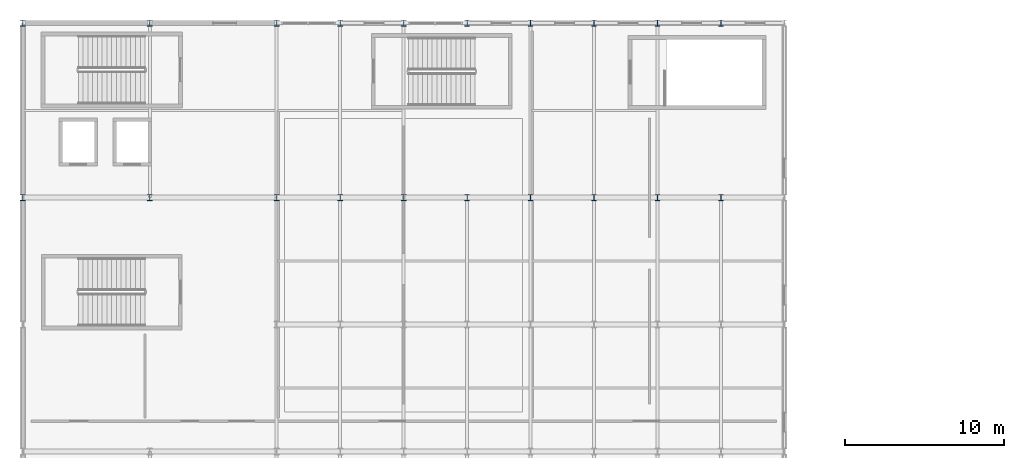
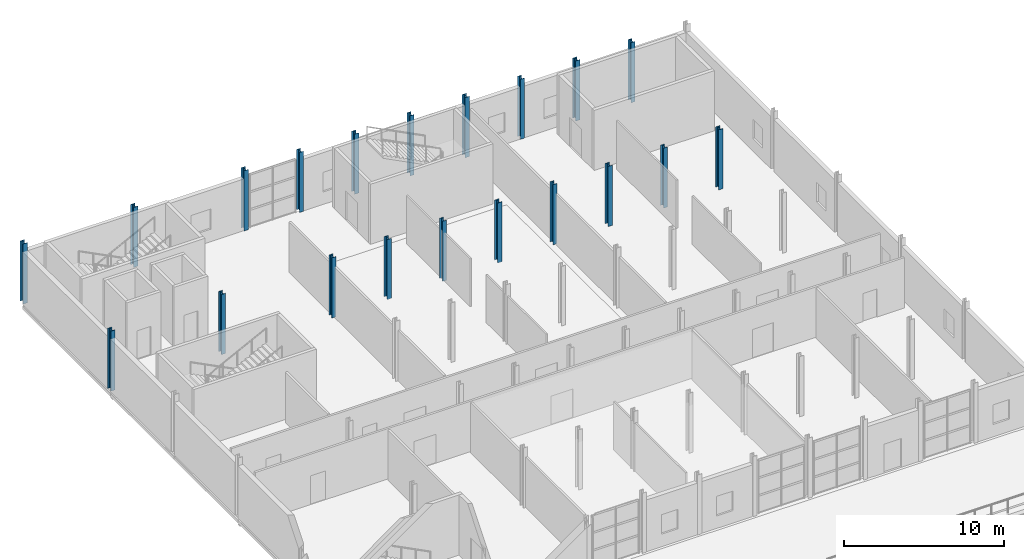
# One storey, part 8 of 67: 20 columns.
"""IFC4 building model written with IfcOpenShell, lengths in metres."""

from ifc_helpers import new_model, si_unit, derived_unit, direction, frame, origin, origin_2d, place, context, subcontext, project, spatial, i_section, extrude, material, material_profile, profile_set, type_object, element, save


model = new_model("IFC4")

# Units and contexts
model_context = context("Model", 3, precision=1e-05, world=origin(), true_north=direction((0.0, 1.0)))
body_context = subcontext(model_context, "Body", "Model", "MODEL_VIEW")
ifc_project = project(units=[si_unit("LENGTHUNIT", "METRE"), si_unit("AREAUNIT", "SQUARE_METRE"), si_unit("VOLUMEUNIT", "CUBIC_METRE"), si_unit("PLANEANGLEUNIT", "RADIAN"), si_unit("MASSUNIT", "GRAM", prefix="KILO"), derived_unit("THERMALTRANSMITTANCEUNIT", [(si_unit("POWERUNIT", "WATT"), 1), (si_unit("LENGTHUNIT", "METRE"), -2), (si_unit("THERMODYNAMICTEMPERATUREUNIT", "KELVIN"), -1)])], contexts=[model_context])

# Site, building, storey
site_placement = place(None, origin())
site = spatial("IfcSite", under=ifc_project, at=site_placement, CompositionType="ELEMENT")
building_placement = place(site_placement, origin())
building = spatial("IfcBuilding", under=site, at=building_placement, Name="Keldorne Ridge Multi-Sports Centre", CompositionType="ELEMENT")
storey_placement = place(building_placement, frame((0.0, 0.0, 14.0)))
storey = spatial("IfcBuildingStorey", under=building, at=storey_placement, Name="L03", CompositionType="ELEMENT", Elevation=14.0)

# Columns
ifc_material = material(Name="Steel S355", Category="steel")
ifc_material_profile = material_profile(ifc_material, i_section(OverallWidth=0.300048828125, OverallDepth=0.389892578125, WebThickness=0.010986328125, FlangeThickness=0.01904296875, FilletRadius=0.027099609375, at=origin_2d()), Name="HEA 400")
ifc_profile_set = profile_set([ifc_material_profile], Name="Steel S355")
column_type = type_object("IfcColumnType", Name="COL-C-15", PredefinedType="COLUMN", material=ifc_profile_set)
for number, where, z_axis, x_axis, name in (
    (1, (104.0, 106.0, 0.0), (0.0, 0.0, 1.0), (1.0, 0.0, 0.0), "Structural column V5-C-01-06 on L03"),
    (2, (104.0, 117.0, 0.0), (0.0, 0.0, 1.0), (1.0, 0.0, 0.0), "Structural column V5-C-01-07 on L03"),
    (3, (112.0, 106.0, 0.0), (0.0, 0.0, 1.0), (1.0, 0.0, 0.0), "Structural column V5-C-02-06 on L03"),
    (4, (112.0, 117.0, 0.0), (0.0, 0.0, 1.0), (1.0, 0.0, 0.0), "Structural column V5-C-02-07 on L03"),
    (5, (120.0, 106.0, 0.0), (0.0, 0.0, 1.0), (1.0, 0.0, 0.0), "Structural column V5-C-03-06 on L03"),
    (6, (120.0, 117.0, 0.0), (0.0, 0.0, 1.0), (1.0, 0.0, 0.0), "Structural column V5-C-03-07 on L03"),
    (7, (124.0, 106.0, 0.0), (0.0, 0.0, 1.0), (1.0, 0.0, 0.0), "Structural column V5-C-04-06 on L03"),
    (8, (124.0, 117.0, 0.0), (0.0, 0.0, 1.0), (1.0, 0.0, 0.0), "Structural column V5-C-04-07 on L03"),
    (9, (128.0, 106.0, 0.0), (0.0, 0.0, 1.0), (1.0, 0.0, 0.0), "Structural column V5-C-05-06 on L03"),
    (10, (128.0, 117.0, 0.0), (0.0, 0.0, 1.0), (1.0, 0.0, 0.0), "Structural column V5-C-05-07 on L03"),
    (11, (132.0, 106.0, 0.0), (0.0, 0.0, 1.0), (1.0, 0.0, 0.0), "Structural column V5-C-06-06 on L03"),
    (12, (132.0, 117.0, 0.0), (0.0, 0.0, 1.0), (1.0, 0.0, 0.0), "Structural column V5-C-06-07 on L03"),
    (13, (136.0, 106.0, 0.0), (0.0, 0.0, 1.0), (1.0, 0.0, 0.0), "Structural column V5-C-07-06 on L03"),
    (14, (136.0, 117.0, 0.0), (0.0, 0.0, 1.0), (1.0, 0.0, 0.0), "Structural column V5-C-07-07 on L03"),
    (15, (140.0, 106.0, 0.0), (0.0, 0.0, 1.0), (1.0, 0.0, 0.0), "Structural column V5-C-08-06 on L03"),
    (16, (140.0, 117.0, 0.0), (0.0, 0.0, 1.0), (1.0, 0.0, 0.0), "Structural column V5-C-08-07 on L03"),
    (17, (144.0, 106.0, 0.0), (0.0, 0.0, 1.0), (1.0, 0.0, 0.0), "Structural column V5-C-09-06 on L03"),
    (18, (144.0, 117.0, 0.0), (0.0, 0.0, 1.0), (1.0, 0.0, 0.0), "Structural column V5-C-09-07 on L03"),
    (19, (148.0, 106.0, 0.0), (0.0, 0.0, 1.0), (1.0, 0.0, 0.0), "Structural column V5-C-10-06 on L03"),
    (20, (148.0, 117.0, 0.0), (0.0, 0.0, 1.0), (1.0, 0.0, 0.0), "Structural column V5-C-10-07 on L03"),
):
    element("IfcColumn", number, at=place(storey_placement, frame(where, z_axis=z_axis, x_axis=x_axis)), inside=storey, type_object=column_type, Name=name, PredefinedType="COLUMN", context=body_context, shape_type="SweptSolid", body=[
        extrude(i_section(OverallWidth=0.300048828125, OverallDepth=0.389892578125, WebThickness=0.010986328125, FlangeThickness=0.01904296875, FilletRadius=0.027099609375, at=origin_2d()), origin(), (0.0, 0.0, 1.0), 4.60009765625),
    ])

save(model, "model.ifc")
